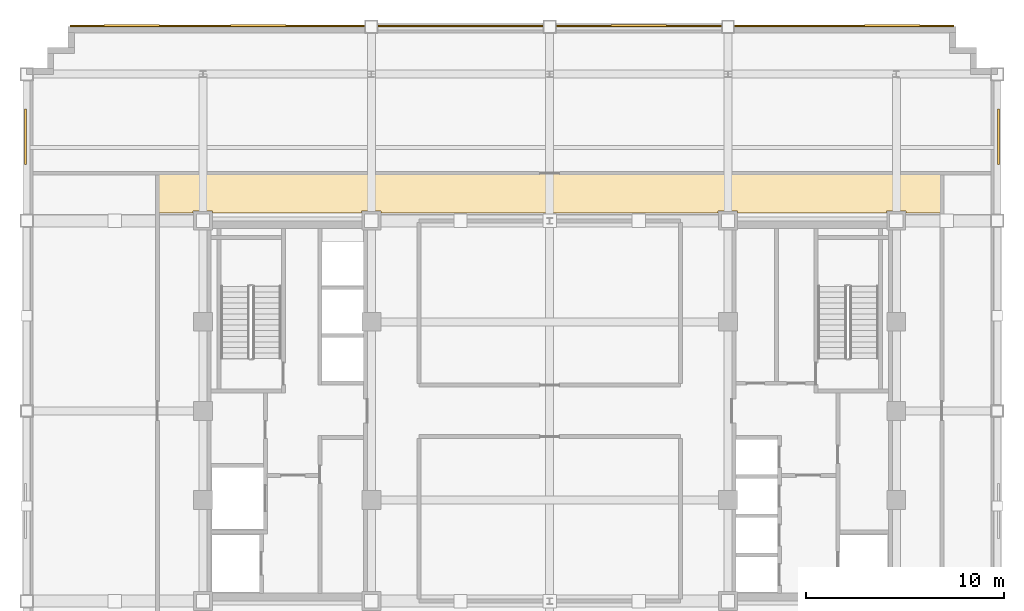
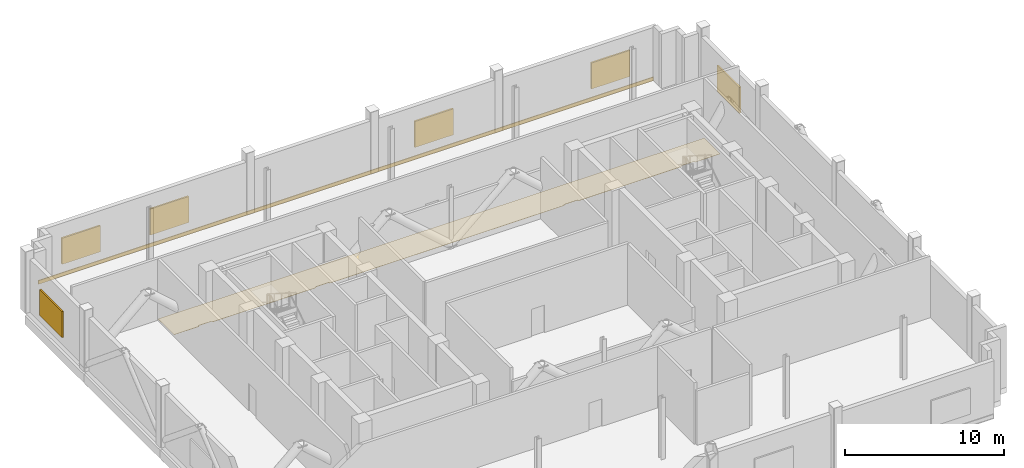
# One storey, part 13 of 13: 6 shading devices, 2 coverings.
"""IFC4 building model written with IfcOpenShell, lengths in metres."""

from ifc_helpers import new_model, si_unit, direction, frame, origin, origin_2d, place, context, subcontext, project, spatial, polyline, rectangle, outline, extrude, source, transform, mapped, material, layer, layer_set, type_object, type_shapes, element, save


model = new_model("IFC4")

# Units and contexts
model_context = context("Model", 3, precision=1e-05, world=origin(), true_north=direction((0.0, 1.0)))
body_context = subcontext(model_context, "Body", "Model", "MODEL_VIEW")
ifc_project = project(units=[si_unit("LENGTHUNIT", "METRE"), si_unit("AREAUNIT", "SQUARE_METRE"), si_unit("VOLUMEUNIT", "CUBIC_METRE"), si_unit("PLANEANGLEUNIT", "RADIAN"), si_unit("MASSUNIT", "GRAM", prefix="KILO")], contexts=[model_context])

# Site, building, storey
site_placement = place(None, origin())
site = spatial("IfcSite", under=ifc_project, at=site_placement, CompositionType="ELEMENT")
building_placement = place(site_placement, origin())
building = spatial("IfcBuilding", under=site, at=building_placement, Name="Nuvemarco Arch Tower", CompositionType="ELEMENT")
storey_placement = place(building_placement, frame((0.0, 0.0, 185.89990234375)))
storey = spatial("IfcBuildingStorey", under=building, at=storey_placement, Name="L49", CompositionType="ELEMENT", Elevation=185.89990234375)

# Covering
ifc_material_1 = material(Name="Polished granite terrazzostone flooring", Category="masonry")
ifc_layer_1 = layer(ifc_material_1, 0.02001953125, Name="COV-LOBBY-FLR")
ifc_layer_set_1 = layer_set([ifc_layer_1], Name="Polished granite terrazzostone flooring")
covering_type_1 = type_object("IfcCoveringType", Name="COV-LOBBY-FLR", PredefinedType="FLOORING", material=ifc_layer_set_1)
covering_1_placement = place(storey_placement, origin())
element("IfcCovering", 1, at=covering_1_placement, inside=storey, type_object=covering_type_1, Name="L49 polished terrazzo lobby flooring", PredefinedType="FLOORING", context=body_context, shape_type="SweptSolid", body=[
    extrude(outline(polyline([(-19.800048828125, 12.0), (-17.5, 12.0), (-9.0, 12.0), (-6.60009765625, 12.0), (6.60009765625, 12.0), (9.0, 12.0), (17.5, 12.0), (19.800048828125, 12.0), (19.800048828125, 10.0), (17.989990234375, 10.0), (17.989990234375, 10.090087890625), (17.010009765625, 10.090087890625), (17.010009765625, 10.0), (9.489990234375, 10.0), (9.489990234375, 10.090087890625), (8.510009765625, 10.090087890625), (8.510009765625, 10.0), (-8.510009765625, 10.0), (-8.510009765625, 10.090087890625), (-9.489990234375, 10.090087890625), (-9.489990234375, 10.0), (-17.010009765625, 10.0), (-17.010009765625, 10.090087890625), (-17.989990234375, 10.090087890625), (-17.989990234375, 10.0), (-19.800048828125, 10.0), (-19.800048828125, 12.0)])), origin(), (0.0, 0.0, 1.0), 0.02001953125),
])

# Shading devices
ifc_material_2 = material(Name="Anodised aluminium 6063-T6", Category="aluminium")
shading_device_type = type_object("IfcShadingDeviceType", Name="SHD-LOUVRE-PLANT", PredefinedType="JALOUSIE", material=ifc_material_2)
shared_shape_1 = source(origin(), body_context, "Body", "SweptSolid", [
    extrude(rectangle(XDim=2.800048828125, YDim=0.1201171875, at=origin_2d()), origin(), (0.0, 0.0, 1.0), 2.0),
])
type_shapes(shading_device_type, [shared_shape_1])
for number, where, z_axis, x_axis, name in (
    (2, (22.655029296875, 13.844970703125, 0.650146484375), (0.0, 0.0, 1.0), (0.0, 1.0, 0.0), "L49 acoustic plant louvre panel 6"),
    (3, (-21.10009765625, 19.455078125, 0.650146484375), (0.0, 0.0, 1.0), (1.0, 0.0, 0.0), "L49 acoustic plant louvre panel 1"),
    (4, (-14.699951171875, 19.455078125, 0.650146484375), (0.0, 0.0, 1.0), (1.0, 0.0, 0.0), "L49 acoustic plant louvre panel 2"),
    (5, (4.5, 19.455078125, 0.650146484375), (0.0, 0.0, 1.0), (1.0, 0.0, 0.0), "L49 acoustic plant louvre panel 5"),
    (6, (17.300048828125, 19.455078125, 0.650146484375), (0.0, 0.0, 1.0), (1.0, 0.0, 0.0), "L49 acoustic plant louvre panel 7"),
    (7, (-26.455078125, 13.844970703125, 0.650146484375), (0.0, 0.0, 1.0), (0.0, 1.0, 0.0), "L49 acoustic plant louvre panel 6"),
):
    element("IfcShadingDevice", number, at=place(storey_placement, frame(where, z_axis=z_axis, x_axis=x_axis)), inside=storey, type_object=shading_device_type, Name=name, PredefinedType="JALOUSIE", context=body_context, shape_type="MappedRepresentation", body=[
        mapped(shared_shape_1, transform((0.0, 0.0, 0.0), scale=1.0)),
    ])

# Covering
ifc_material_3 = material(Name="Precast concrete C45/55", Category="concrete")
ifc_layer_2 = layer(ifc_material_3, 0.06005859375, Name="COV-SPANDREL-CLAD")
ifc_layer_set_2 = layer_set([ifc_layer_2], Name="Precast concrete C45/55")
covering_type_2 = type_object("IfcCoveringType", Name="COV-SPANDREL-CLAD", PredefinedType="CLADDING", material=ifc_layer_set_2)
shared_shape_2 = source(origin(), body_context, "Body", "SweptSolid", [
    extrude(rectangle(XDim=44.60009765625, YDim=0.06005859375, at=origin_2d()), origin(), (0.0, 0.0, 1.0), 0.280029296875),
])
type_shapes(covering_type_2, [shared_shape_2])
covering_2_placement = place(storey_placement, frame((-1.89990234375, 19.428955078125, -0.27978515625), z_axis=(0.0, 0.0, 1.0), x_axis=(1.0, 0.0, 0.0)))
element("IfcCovering", 8, at=covering_2_placement, inside=storey, type_object=covering_type_2, Name="L49 precast spandrel edge cladding north", PredefinedType="CLADDING", context=body_context, shape_type="MappedRepresentation", body=[
    mapped(shared_shape_2, transform((0.0, 0.0, 0.0), scale=1.0)),
])

save(model, "model.ifc")
